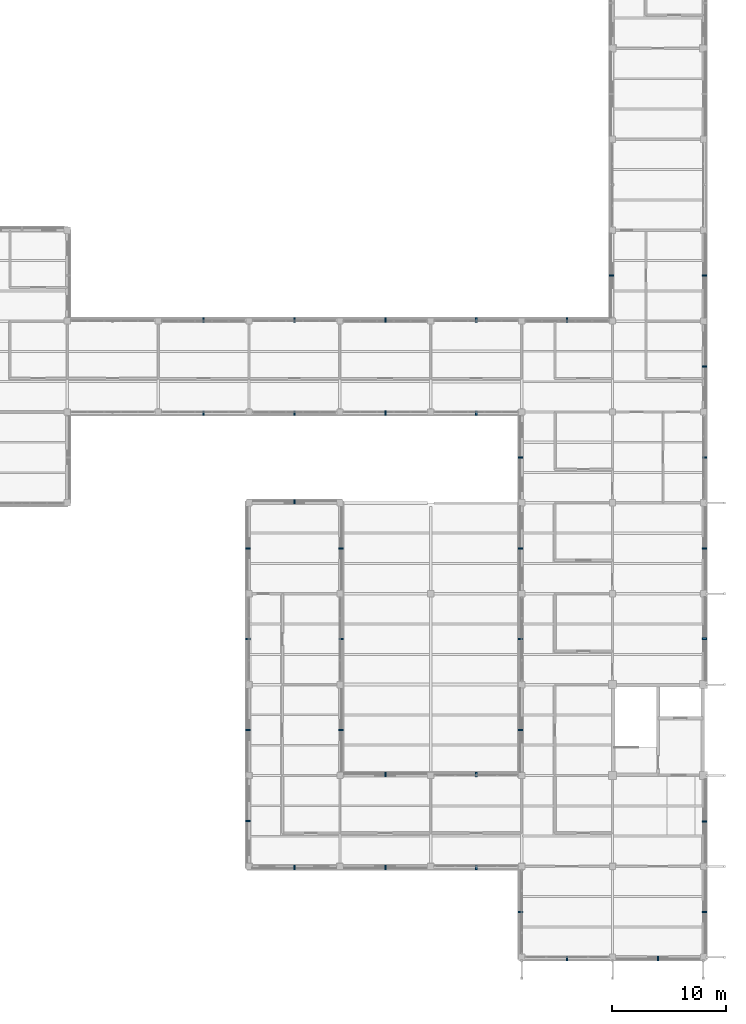
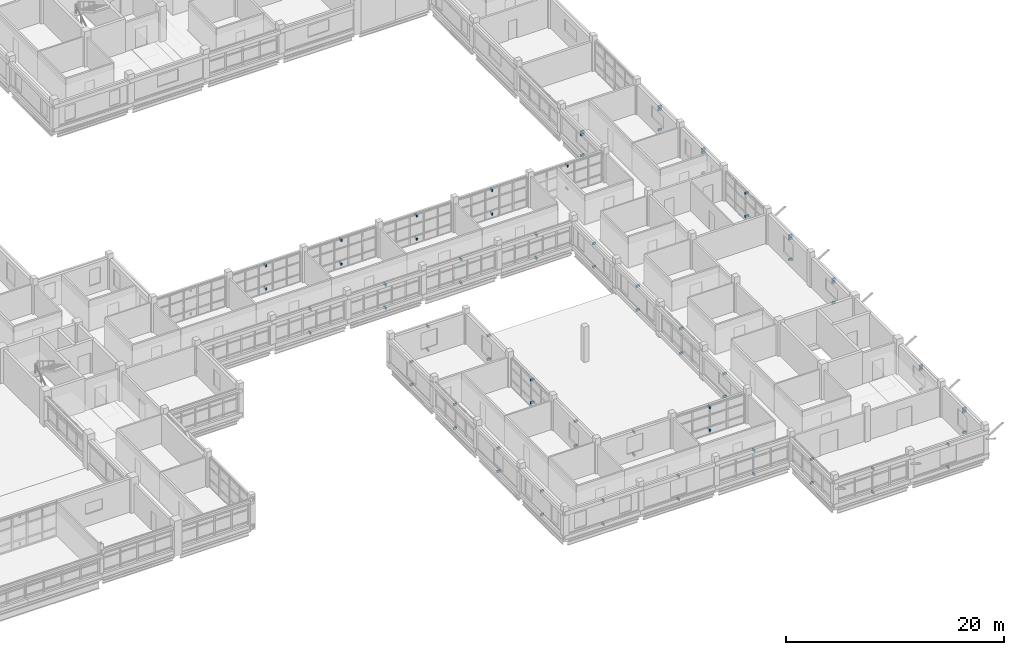
# One storey, part 94 of 107: 81 discrete accessories.
"""IFC4 building model written with IfcOpenShell, lengths in metres."""

from ifc_helpers import new_model, si_unit, derived_unit, direction, frame, origin, origin_2d, place, context, subcontext, project, spatial, rectangle, extrude, material, type_object, element, save


model = new_model("IFC4")

# Units and contexts
model_context = context("Model", 3, precision=1e-05, world=origin(), true_north=direction((0.0, 1.0)))
body_context = subcontext(model_context, "Body", "Model", "MODEL_VIEW")
ifc_project = project(units=[si_unit("LENGTHUNIT", "METRE"), si_unit("AREAUNIT", "SQUARE_METRE"), si_unit("VOLUMEUNIT", "CUBIC_METRE"), si_unit("PLANEANGLEUNIT", "RADIAN"), si_unit("MASSUNIT", "GRAM", prefix="KILO"), derived_unit("THERMALTRANSMITTANCEUNIT", [(si_unit("MASSUNIT", "GRAM", prefix="KILO"), 1), (si_unit("TIMEUNIT", "SECOND"), -3), (si_unit("THERMODYNAMICTEMPERATUREUNIT", "KELVIN"), -1)])], contexts=[model_context])

# Site, building, storey
site_placement = place(None, origin())
site = spatial("IfcSite", under=ifc_project, at=site_placement, CompositionType="ELEMENT")
building_placement = place(site_placement, origin())
building = spatial("IfcBuilding", under=site, at=building_placement, Name="Veyamyaing Civic Hall", CompositionType="ELEMENT")
storey_placement = place(building_placement, frame((0.0, 0.0, 13.860107421875)))
storey = spatial("IfcBuildingStorey", under=building, at=storey_placement, Name="L03", CompositionType="ELEMENT", Elevation=13.860107421875)

# Discrete accessories
ifc_material = material(Name="Steel S355J2", Category="steel")
discrete_accessory_type = type_object("IfcDiscreteAccessoryType", Name="BK-01", PredefinedType="BRACKET", material=ifc_material)
for number, where, z_axis, x_axis, name in (
    (1, (132.0, 47.89990234375, 3.02392578125), (0.0, 0.0, 1.0), (0.0, -1.0, 0.0), "Sunshade anchor bracket BK-01 L03 S 17.7"),
    (2, (132.0, 47.89990234375, 0.35986328125), (0.0, 0.0, 1.0), (0.0, -1.0, 0.0), "Lower ribbon anchor bracket BK-01 L03 S 17.7"),
    (3, (132.0, 56.10009765625, 2.9638671875), (0.0, 0.0, 1.0), (0.0, 1.0, 0.0), "Sunshade anchor bracket BK-01 L03 N 17.7"),
    (4, (132.0, 56.10009765625, 0.35986328125), (0.0, 0.0, 1.0), (0.0, 1.0, 0.0), "Lower ribbon anchor bracket BK-01 L03 N 17.7"),
    (5, (140.0, 7.89990234375, 3.01904296875), (0.0, 0.0, 1.0), (0.0, -1.0, 0.0), "Sunshade anchor bracket BK-01 L03 S 18.2"),
    (6, (140.0, 7.89990234375, 0.35986328125), (0.0, 0.0, 1.0), (0.0, -1.0, 0.0), "Lower ribbon anchor bracket BK-01 L03 S 18.2"),
    (7, (135.89990234375, 12.0, 3.01904296875), (0.0, 0.0, 1.0), (-1.0, 0.0, 0.0), "Sunshade anchor bracket BK-01 L03 W 18.2"),
    (8, (135.89990234375, 12.0, 0.35986328125), (0.0, 0.0, 1.0), (-1.0, 0.0, 0.0), "Lower ribbon anchor bracket BK-01 L03 W 18.2"),
    (9, (135.89990234375, 20.0, 2.958984375), (0.0, 0.0, 1.0), (-1.0, 0.0, 0.0), "Sunshade anchor bracket BK-01 L03 W 18.3"),
    (10, (135.89990234375, 20.0, 0.35986328125), (0.0, 0.0, 1.0), (-1.0, 0.0, 0.0), "Lower ribbon anchor bracket BK-01 L03 W 18.3"),
    (11, (144.10009765625, 20.0, 3.11376953125), (0.0, 0.0, 1.0), (1.0, 0.0, 0.0), "Sunshade anchor bracket BK-01 L03 E 18.3"),
    (12, (144.10009765625, 20.0, 0.35986328125), (0.0, 0.0, 1.0), (1.0, 0.0, 0.0), "Lower ribbon anchor bracket BK-01 L03 E 18.3"),
    (13, (135.89990234375, 28.0, 3.02197265625), (0.0, 0.0, 1.0), (-1.0, 0.0, 0.0), "Sunshade anchor bracket BK-01 L03 W 18.4"),
    (14, (135.89990234375, 28.0, 0.35986328125), (0.0, 0.0, 1.0), (-1.0, 0.0, 0.0), "Lower ribbon anchor bracket BK-01 L03 W 18.4"),
    (15, (144.10009765625, 28.0, 2.90869140625), (0.0, 0.0, 1.0), (1.0, 0.0, 0.0), "Sunshade anchor bracket BK-01 L03 E 18.4"),
    (16, (144.10009765625, 28.0, 0.35986328125), (0.0, 0.0, 1.0), (1.0, 0.0, 0.0), "Lower ribbon anchor bracket BK-01 L03 E 18.4"),
    (17, (140.0, 40.10009765625, 3.01904296875), (0.0, 0.0, 1.0), (0.0, 1.0, 0.0), "Sunshade anchor bracket BK-01 L03 N 18.5"),
    (18, (140.0, 40.10009765625, 0.35986328125), (0.0, 0.0, 1.0), (0.0, 1.0, 0.0), "Lower ribbon anchor bracket BK-01 L03 N 18.5"),
    (19, (135.89990234375, 36.0, 2.955078125), (0.0, 0.0, 1.0), (-1.0, 0.0, 0.0), "Sunshade anchor bracket BK-01 L03 W 18.5"),
    (20, (135.89990234375, 36.0, 0.35986328125), (0.0, 0.0, 1.0), (-1.0, 0.0, 0.0), "Lower ribbon anchor bracket BK-01 L03 W 18.5"),
    (21, (144.10009765625, 36.0, 3.01904296875), (0.0, 0.0, 1.0), (1.0, 0.0, 0.0), "Sunshade anchor bracket BK-01 L03 E 18.5"),
    (22, (144.10009765625, 36.0, 0.35986328125), (0.0, 0.0, 1.0), (1.0, 0.0, 0.0), "Lower ribbon anchor bracket BK-01 L03 E 18.5"),
    (23, (140.0, 47.89990234375, 2.9638671875), (0.0, 0.0, 1.0), (0.0, -1.0, 0.0), "Sunshade anchor bracket BK-01 L03 S 18.7"),
    (24, (140.0, 47.89990234375, 0.35986328125), (0.0, 0.0, 1.0), (0.0, -1.0, 0.0), "Lower ribbon anchor bracket BK-01 L03 S 18.7"),
    (25, (140.0, 56.10009765625, 3.02685546875), (0.0, 0.0, 1.0), (0.0, 1.0, 0.0), "Sunshade anchor bracket BK-01 L03 N 18.7"),
    (26, (140.0, 56.10009765625, 0.35986328125), (0.0, 0.0, 1.0), (0.0, 1.0, 0.0), "Lower ribbon anchor bracket BK-01 L03 N 18.7"),
    (27, (148.0, 7.89990234375, 2.9638671875), (0.0, 0.0, 1.0), (0.0, -1.0, 0.0), "Sunshade anchor bracket BK-01 L03 S 19.2"),
    (28, (148.0, 7.89990234375, 0.35986328125), (0.0, 0.0, 1.0), (0.0, -1.0, 0.0), "Lower ribbon anchor bracket BK-01 L03 S 19.2"),
    (29, (148.0, 16.10009765625, 2.9140625), (0.0, 0.0, 1.0), (0.0, 1.0, 0.0), "Sunshade anchor bracket BK-01 L03 N 19.2"),
    (30, (148.0, 16.10009765625, 0.35986328125), (0.0, 0.0, 1.0), (0.0, 1.0, 0.0), "Lower ribbon anchor bracket BK-01 L03 N 19.2"),
    (31, (148.0, 47.89990234375, 3.02685546875), (0.0, 0.0, 1.0), (0.0, -1.0, 0.0), "Sunshade anchor bracket BK-01 L03 S 19.7"),
    (32, (148.0, 47.89990234375, 0.35986328125), (0.0, 0.0, 1.0), (0.0, -1.0, 0.0), "Lower ribbon anchor bracket BK-01 L03 S 19.7"),
    (33, (148.0, 56.10009765625, 2.9599609375), (0.0, 0.0, 1.0), (0.0, 1.0, 0.0), "Sunshade anchor bracket BK-01 L03 N 19.7"),
    (34, (148.0, 56.10009765625, 0.35986328125), (0.0, 0.0, 1.0), (0.0, 1.0, 0.0), "Lower ribbon anchor bracket BK-01 L03 N 19.7"),
    (35, (156.0, 7.89990234375, 3.02685546875), (0.0, 0.0, 1.0), (0.0, -1.0, 0.0), "Sunshade anchor bracket BK-01 L03 S 20.2"),
    (36, (156.0, 7.89990234375, 0.35986328125), (0.0, 0.0, 1.0), (0.0, -1.0, 0.0), "Lower ribbon anchor bracket BK-01 L03 S 20.2"),
    (37, (156.0, 16.10009765625, 2.919921875), (0.0, 0.0, 1.0), (0.0, 1.0, 0.0), "Sunshade anchor bracket BK-01 L03 N 20.2"),
    (38, (156.0, 16.10009765625, 0.35986328125), (0.0, 0.0, 1.0), (0.0, 1.0, 0.0), "Lower ribbon anchor bracket BK-01 L03 N 20.2"),
    (39, (156.0, 47.89990234375, 2.9599609375), (0.0, 0.0, 1.0), (0.0, -1.0, 0.0), "Sunshade anchor bracket BK-01 L03 S 20.7"),
    (40, (156.0, 47.89990234375, 0.35986328125), (0.0, 0.0, 1.0), (0.0, -1.0, 0.0), "Lower ribbon anchor bracket BK-01 L03 S 20.7"),
    (41, (156.0, 56.10009765625, 3.02392578125), (0.0, 0.0, 1.0), (0.0, 1.0, 0.0), "Sunshade anchor bracket BK-01 L03 N 20.7"),
    (42, (156.0, 56.10009765625, 0.35986328125), (0.0, 0.0, 1.0), (0.0, 1.0, 0.0), "Lower ribbon anchor bracket BK-01 L03 N 20.7"),
    (43, (164.0, -0.10009765625, 3.02197265625), (0.0, 0.0, 1.0), (0.0, -1.0, 0.0), "Sunshade anchor bracket BK-01 L03 S 21.1"),
    (44, (164.0, -0.10009765625, 0.35986328125), (0.0, 0.0, 1.0), (0.0, -1.0, 0.0), "Lower ribbon anchor bracket BK-01 L03 S 21.1"),
    (45, (159.89990234375, 4.0, 3.02197265625), (0.0, 0.0, 1.0), (-1.0, 0.0, 0.0), "Sunshade anchor bracket BK-01 L03 W 21.1"),
    (46, (159.89990234375, 4.0, 0.35986328125), (0.0, 0.0, 1.0), (-1.0, 0.0, 0.0), "Lower ribbon anchor bracket BK-01 L03 W 21.1"),
    (47, (159.89990234375, 20.0, 2.9150390625), (0.0, 0.0, 1.0), (-1.0, 0.0, 0.0), "Sunshade anchor bracket BK-01 L03 W 21.3"),
    (48, (159.89990234375, 20.0, 0.35986328125), (0.0, 0.0, 1.0), (-1.0, 0.0, 0.0), "Lower ribbon anchor bracket BK-01 L03 W 21.3"),
    (49, (159.89990234375, 28.0, 3.11376953125), (0.0, 0.0, 1.0), (-1.0, 0.0, 0.0), "Sunshade anchor bracket BK-01 L03 W 21.4"),
    (50, (159.89990234375, 28.0, 0.35986328125), (0.0, 0.0, 1.0), (-1.0, 0.0, 0.0), "Lower ribbon anchor bracket BK-01 L03 W 21.4"),
    (51, (159.89990234375, 36.0, 3.03173828125), (0.0, 0.0, 1.0), (-1.0, 0.0, 0.0), "Sunshade anchor bracket BK-01 L03 W 21.5"),
    (52, (159.89990234375, 36.0, 0.35986328125), (0.0, 0.0, 1.0), (-1.0, 0.0, 0.0), "Lower ribbon anchor bracket BK-01 L03 W 21.5"),
    (53, (159.89990234375, 44.0, 2.96484375), (0.0, 0.0, 1.0), (-1.0, 0.0, 0.0), "Sunshade anchor bracket BK-01 L03 W 21.6"),
    (54, (159.89990234375, 44.0, 0.35986328125), (0.0, 0.0, 1.0), (-1.0, 0.0, 0.0), "Lower ribbon anchor bracket BK-01 L03 W 21.6"),
    (55, (164.0, 56.10009765625, 2.9638671875), (0.0, 0.0, 1.0), (0.0, 1.0, 0.0), "Sunshade anchor bracket BK-01 L03 N 21.7"),
    (56, (164.0, 56.10009765625, 0.35986328125), (0.0, 0.0, 1.0), (0.0, 1.0, 0.0), "Lower ribbon anchor bracket BK-01 L03 N 21.7"),
    (57, (172.0, -0.10009765625, 2.955078125), (0.0, 0.0, 1.0), (0.0, -1.0, 0.0), "Sunshade anchor bracket BK-01 L03 S 22.1"),
    (58, (172.0, -0.10009765625, 0.35986328125), (0.0, 0.0, 1.0), (0.0, -1.0, 0.0), "Lower ribbon anchor bracket BK-01 L03 S 22.1"),
    (59, (176.10009765625, 4.0, 3.01904296875), (0.0, 0.0, 1.0), (1.0, 0.0, 0.0), "Sunshade anchor bracket BK-01 L03 E 22.1"),
    (60, (176.10009765625, 4.0, 0.35986328125), (0.0, 0.0, 1.0), (1.0, 0.0, 0.0), "Lower ribbon anchor bracket BK-01 L03 E 22.1"),
    (61, (176.10009765625, 4.0, 2.68896484375), (0.0, 0.0, 1.0), (1.0, 0.0, 0.0), "Louvre anchor bracket BK-01 L03 E 22.1"),
    (62, (176.10009765625, 11.96240234375, 2.958984375), (0.0, 0.0, 1.0), (1.0, 0.0, 0.0), "Sunshade anchor bracket BK-01 L03 E 22.2"),
    (63, (176.10009765625, 11.96240234375, 0.35986328125), (0.0, 0.0, 1.0), (1.0, 0.0, 0.0), "Lower ribbon anchor bracket BK-01 L03 E 22.2"),
    (64, (176.10009765625, 11.96240234375, 2.62890625), (0.0, 0.0, 1.0), (1.0, 0.0, 0.0), "Louvre anchor bracket BK-01 L03 E 22.2"),
    (65, (176.10009765625, 28.03759765625, 2.955078125), (0.0, 0.0, 1.0), (1.0, 0.0, 0.0), "Sunshade anchor bracket BK-01 L03 E 22.4"),
    (66, (176.10009765625, 28.03759765625, 0.35986328125), (0.0, 0.0, 1.0), (1.0, 0.0, 0.0), "Lower ribbon anchor bracket BK-01 L03 E 22.4"),
    (67, (176.10009765625, 28.03759765625, 2.625), (0.0, 0.0, 1.0), (1.0, 0.0, 0.0), "Louvre anchor bracket BK-01 L03 E 22.4"),
    (68, (176.10009765625, 36.0, 3.02880859375), (0.0, 0.0, 1.0), (1.0, 0.0, 0.0), "Sunshade anchor bracket BK-01 L03 E 22.5"),
    (69, (176.10009765625, 36.0, 0.35986328125), (0.0, 0.0, 1.0), (1.0, 0.0, 0.0), "Lower ribbon anchor bracket BK-01 L03 E 22.5"),
    (70, (176.10009765625, 36.0, 2.69873046875), (0.0, 0.0, 1.0), (1.0, 0.0, 0.0), "Louvre anchor bracket BK-01 L03 E 22.5"),
    (71, (176.10009765625, 44.0, 2.9638671875), (0.0, 0.0, 1.0), (1.0, 0.0, 0.0), "Sunshade anchor bracket BK-01 L03 E 22.6"),
    (72, (176.10009765625, 44.0, 0.35986328125), (0.0, 0.0, 1.0), (1.0, 0.0, 0.0), "Lower ribbon anchor bracket BK-01 L03 E 22.6"),
    (73, (176.10009765625, 52.0, 3.02685546875), (0.0, 0.0, 1.0), (1.0, 0.0, 0.0), "Sunshade anchor bracket BK-01 L03 E 22.7"),
    (74, (176.10009765625, 52.0, 0.35986328125), (0.0, 0.0, 1.0), (1.0, 0.0, 0.0), "Lower ribbon anchor bracket BK-01 L03 E 22.7"),
    (75, (176.10009765625, 52.0, 2.69677734375), (0.0, 0.0, 1.0), (1.0, 0.0, 0.0), "Louvre anchor bracket BK-01 L03 E 22.7"),
    (76, (167.89990234375, 60.0, 3.02685546875), (0.0, 0.0, 1.0), (-1.0, 0.0, 0.0), "Sunshade anchor bracket BK-01 L03 W 22.8"),
    (77, (167.89990234375, 60.0, 0.35986328125), (0.0, 0.0, 1.0), (-1.0, 0.0, 0.0), "Lower ribbon anchor bracket BK-01 L03 W 22.8"),
    (78, (167.89990234375, 60.0, 2.69677734375), (0.0, 0.0, 1.0), (-1.0, 0.0, 0.0), "Louvre anchor bracket BK-01 L03 W 22.8"),
    (79, (176.10009765625, 60.0, 2.9599609375), (0.0, 0.0, 1.0), (1.0, 0.0, 0.0), "Sunshade anchor bracket BK-01 L03 E 22.8"),
    (80, (176.10009765625, 60.0, 0.35986328125), (0.0, 0.0, 1.0), (1.0, 0.0, 0.0), "Lower ribbon anchor bracket BK-01 L03 E 22.8"),
    (81, (176.10009765625, 60.0, 2.6298828125), (0.0, 0.0, 1.0), (1.0, 0.0, 0.0), "Louvre anchor bracket BK-01 L03 E 22.8"),
):
    element("IfcDiscreteAccessory", number, at=place(storey_placement, frame(where, z_axis=z_axis, x_axis=x_axis)), inside=storey, type_object=discrete_accessory_type, Name=name, PredefinedType="BRACKET", context=body_context, shape_type="SweptSolid", body=[
        extrude(rectangle(XDim=0.3798828125, YDim=0.139892578125, at=origin_2d()), origin(), (0.0, 0.0, 1.0), 0.239990234375),
    ])

save(model, "model.ifc")
